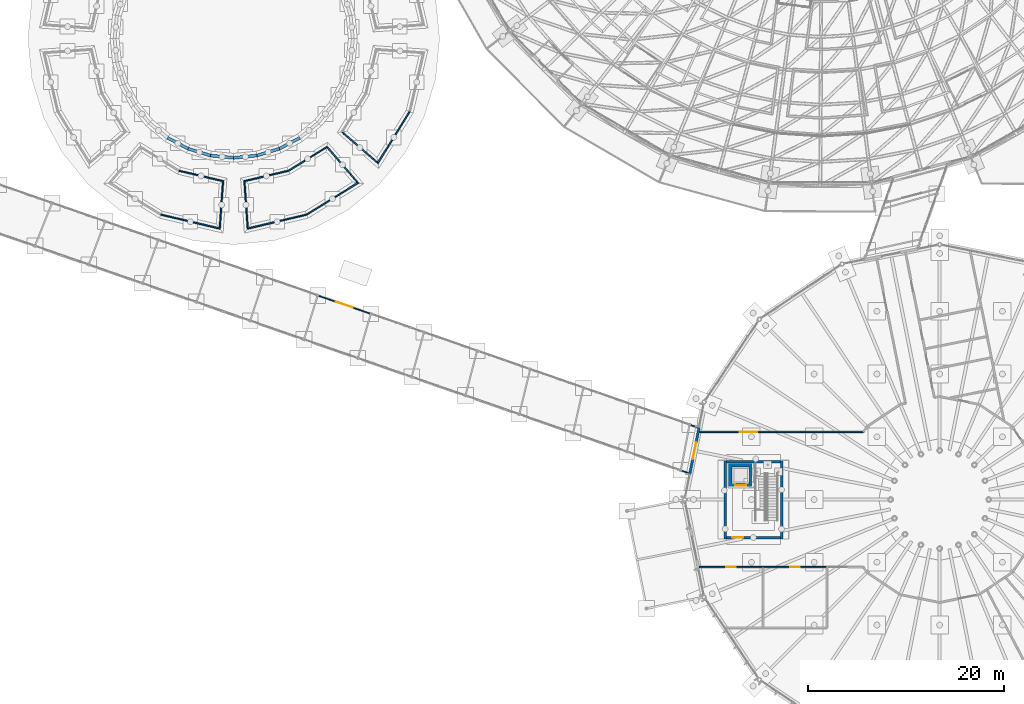
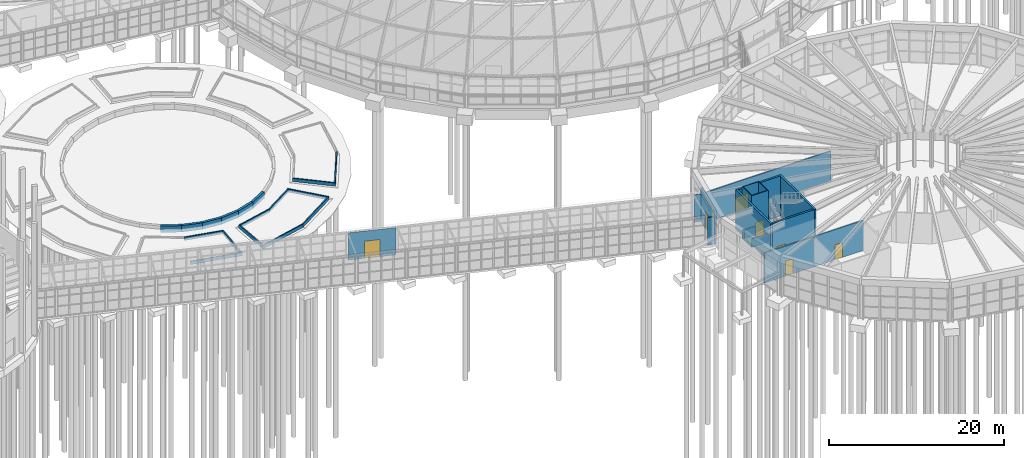
# One storey, part 160 of 226: 36 walls, 7 doors, 7 openings.
"""IFC4 building model written with IfcOpenShell, lengths in metres."""

from ifc_helpers import new_model, si_unit, direction, frame, frame_2d, origin, place, context, subcontext, project, spatial, polyline, rectangle, outline, extrude, material, layer, layer_set, type_object, element, fill, save


model = new_model("IFC4")

# Units and contexts
model_context = context("Model", 3, precision=1e-05, world=origin(), true_north=direction((0.0, 1.0)))
body_context = subcontext(model_context, "Body", "Model", "MODEL_VIEW")
ifc_project = project(units=[si_unit("LENGTHUNIT", "METRE"), si_unit("AREAUNIT", "SQUARE_METRE"), si_unit("VOLUMEUNIT", "CUBIC_METRE"), si_unit("PLANEANGLEUNIT", "RADIAN"), si_unit("MASSUNIT", "GRAM", prefix="KILO")], contexts=[model_context])

# Site, building, storey
site_placement = place(None, origin())
site = spatial("IfcSite", under=ifc_project, at=site_placement, CompositionType="ELEMENT")
building_placement = place(site_placement, origin())
building = spatial("IfcBuilding", under=site, at=building_placement, Name="Ceibo Conservatory and Research Tower", CompositionType="ELEMENT")
storey_placement = place(building_placement, origin())
storey = spatial("IfcBuildingStorey", under=building, at=storey_placement, Name="L00", CompositionType="ELEMENT", Elevation=0.0)

# Walls
ifc_material_1 = material(Name="Concrete C30/37", Category="concrete")
ifc_layer_1 = layer(ifc_material_1, 0.300048828125)
ifc_layer_set_1 = layer_set([ifc_layer_1], Name="Concrete C30/37")
wall_type_1 = type_object("IfcWallType", Name="Basin kerb wall 300", PredefinedType="PARAPET", material=ifc_layer_set_1)
wall_1_placement = place(storey_placement, frame((89.250244140625, 72.898193359375, -0.449951171875), z_axis=(0.0, 0.0, 1.0), x_axis=(0.881938281705, -0.471364898208, 0.0)))
element("IfcWall", 1, at=wall_1_placement, inside=storey, type_object=wall_type_1, Name="Basin kerb 22", PredefinedType="PARAPET", context=body_context, shape_type="SweptSolid", body=[
    extrude(outline(polyline([(-0.014892578125, -0.14990234375), (2.396484375, -0.14990234375), (2.36669921875, 0.14990234375), (0.014892578125, 0.14990234375), (-0.014892578125, -0.14990234375)])), origin(), (0.0, 0.0, 1.0), 0.89990234375),
])
wall_2_placement = place(storey_placement, frame((91.3505859375, 71.775634765625, -0.449951171875), z_axis=(0.0, 0.0, 1.0), x_axis=(0.956941606706, -0.290280487381, 0.0)))
element("IfcWall", 2, at=wall_2_placement, inside=storey, type_object=wall_type_1, Name="Basin kerb 23", PredefinedType="PARAPET", context=body_context, shape_type="SweptSolid", body=[
    extrude(outline(polyline([(-0.014892578125, -0.14990234375), (2.396728515625, -0.14990234375), (2.366943359375, 0.14990234375), (0.014892578125, 0.14990234375), (-0.014892578125, -0.14990234375)])), origin(), (0.0, 0.0, 1.0), 0.89990234375),
])
for number, where, z_axis, x_axis, name in (
    (3, (93.6298828125, 71.084228515625, -0.449951171875), (0.0, 0.0, 1.0), (0.995186271916, -0.098001449933, 0.0), "Basin kerb 24"),
    (4, (96.0, 70.850830078125, -0.449951171875), (0.0, 0.0, 1.0), (0.995186271916, 0.098001449933, 0.0), "Basin kerb 25"),
):
    element("IfcWall", number, at=place(storey_placement, frame(where, z_axis=z_axis, x_axis=x_axis)), inside=storey, type_object=wall_type_1, Name=name, PredefinedType="PARAPET", context=body_context, shape_type="SweptSolid", body=[
        extrude(outline(polyline([(-0.014892578125, -0.14990234375), (2.396484375, -0.14990234375), (2.36669921875, 0.14990234375), (0.014892578125, 0.14990234375), (-0.014892578125, -0.14990234375)])), origin(), (0.0, 0.0, 1.0), 0.89990234375),
    ])
wall_3_placement = place(storey_placement, frame((98.3701171875, 71.084228515625, -0.449951171875), z_axis=(0.0, 0.0, 1.0), x_axis=(0.956941606706, 0.290280487381, 0.0)))
element("IfcWall", 5, at=wall_3_placement, inside=storey, type_object=wall_type_1, Name="Basin kerb 26", PredefinedType="PARAPET", context=body_context, shape_type="SweptSolid", body=[
    extrude(outline(polyline([(-0.014892578125, -0.14990234375), (2.396728515625, -0.14990234375), (2.366943359375, 0.14990234375), (0.014892578125, 0.14990234375), (-0.014892578125, -0.14990234375)])), origin(), (0.0, 0.0, 1.0), 0.89990234375),
])
wall_4_placement = place(storey_placement, frame((100.6494140625, 71.775634765625, -0.449951171875), z_axis=(0.0, 0.0, 1.0), x_axis=(0.881938281705, 0.471364898208, 0.0)))
element("IfcWall", 6, at=wall_4_placement, inside=storey, type_object=wall_type_1, Name="Basin kerb 27", PredefinedType="PARAPET", context=body_context, shape_type="SweptSolid", body=[
    extrude(outline(polyline([(-0.014892578125, -0.14990234375), (2.396484375, -0.14990234375), (2.36669921875, 0.14990234375), (0.014892578125, 0.14990234375), (-0.014892578125, -0.14990234375)])), origin(), (0.0, 0.0, 1.0), 0.89990234375),
])
ifc_layer_2 = layer(ifc_material_1, 0.14990234375)
ifc_layer_set_2 = layer_set([ifc_layer_2], Name="Concrete C30/37")
wall_type_2 = type_object("IfcWallType", Name="Bed kerb wall 150", PredefinedType="PARAPET", material=ifc_layer_set_2)
wall_5_placement = place(storey_placement, frame((88.566650390625, 65.054443359375, 0.0), z_axis=(0.0, 0.0, 1.0), x_axis=(0.973380302815, -0.229195955664, 0.0)))
element("IfcWall", 7, at=wall_5_placement, inside=storey, type_object=wall_type_2, Name="Bed PB6 kerb 03", PredefinedType="PARAPET", context=body_context, shape_type="SweptSolid", body=[
    extrude(outline(polyline([(-0.01220703125, -0.074951171875), (6.2568359375, -0.074951171875), (6.08056640625, 0.074951171875), (0.01220703125, 0.074951171875), (-0.01220703125, -0.074951171875)])), origin(), (0.0, 0.0, 1.0), 0.449951171875),
])
wall_6_placement = place(storey_placement, frame((94.571044921875, 63.640625, 0.0), z_axis=(0.0, 0.0, 1.0), x_axis=(0.069743938592, 0.997564926724, 0.0)))
element("IfcWall", 8, at=wall_6_placement, inside=storey, type_object=wall_type_2, Name="Bed PB6 kerb 04", PredefinedType="PARAPET", context=body_context, shape_type="SweptSolid", body=[
    extrude(outline(polyline([(-0.088134765625, -0.074951171875), (4.911865234375, -0.074951171875), (4.784423828125, 0.074951171875), (0.088134765625, 0.074951171875), (-0.088134765625, -0.074951171875)])), origin(), (0.0, 0.0, 1.0), 0.449951171875),
])
wall_7_placement = place(storey_placement, frame((94.9091796875, 68.47705078125, 0.0), z_axis=(0.0, 0.0, 1.0), x_axis=(-0.973387293002, 0.229166266762, 0.0)))
element("IfcWall", 9, at=wall_7_placement, inside=storey, type_object=wall_type_2, Name="Bed PB6 kerb 05", PredefinedType="PARAPET", context=body_context, shape_type="SweptSolid", body=[
    extrude(outline(polyline([(-0.063720703125, -0.074951171875), (4.597412109375, -0.074951171875), (4.621826171875, 0.074951171875), (0.063720703125, 0.074951171875), (-0.063720703125, -0.074951171875)])), origin(), (0.0, 0.0, 1.0), 0.449951171875),
])
wall_8_placement = place(storey_placement, frame((97.0908203125, 68.47705078125, 0.0), z_axis=(0.0, 0.0, 1.0), x_axis=(0.069743938592, -0.997564926724, 0.0)))
element("IfcWall", 10, at=wall_8_placement, inside=storey, type_object=wall_type_2, Name="Bed PB7 kerb 01", PredefinedType="PARAPET", context=body_context, shape_type="SweptSolid", body=[
    extrude(outline(polyline([(-0.063720703125, -0.074951171875), (4.936279296875, -0.074951171875), (4.760009765625, 0.074951171875), (0.063720703125, 0.074951171875), (-0.063720703125, -0.074951171875)])), origin(), (0.0, 0.0, 1.0), 0.449951171875),
])
wall_9_placement = place(storey_placement, frame((97.428955078125, 63.640625, 0.0), z_axis=(0.0, 0.0, 1.0), x_axis=(0.973380302815, 0.229195955664, 0.0)))
element("IfcWall", 11, at=wall_9_placement, inside=storey, type_object=wall_type_2, Name="Bed PB7 kerb 02", PredefinedType="PARAPET", context=body_context, shape_type="SweptSolid", body=[
    extrude(outline(polyline([(-0.088134765625, -0.074951171875), (6.180908203125, -0.074951171875), (6.156494140625, 0.074951171875), (0.088134765625, 0.074951171875), (-0.088134765625, -0.074951171875)])), origin(), (0.0, 0.0, 1.0), 0.449951171875),
])
wall_10_placement = place(storey_placement, frame((103.433349609375, 65.054443359375, 0.0), z_axis=(0.0, 0.0, 1.0), x_axis=(0.850340207084, 0.526233343886, 0.0)))
element("IfcWall", 12, at=wall_10_placement, inside=storey, type_object=wall_type_2, Name="Bed PB7 kerb 03", PredefinedType="PARAPET", context=body_context, shape_type="SweptSolid", body=[
    extrude(outline(polyline([(-0.01220703125, -0.074951171875), (6.256591796875, -0.074951171875), (6.080322265625, 0.074951171875), (0.01220703125, 0.074951171875), (-0.01220703125, -0.074951171875)])), origin(), (0.0, 0.0, 1.0), 0.449951171875),
])
wall_11_placement = place(storey_placement, frame((108.6787109375, 68.300537109375, 0.0), z_axis=(0.0, 0.0, 1.0), x_axis=(-0.656059019248, 0.754709588692, 0.0)))
element("IfcWall", 13, at=wall_11_placement, inside=storey, type_object=wall_type_2, Name="Bed PB7 kerb 04", PredefinedType="PARAPET", context=body_context, shape_type="SweptSolid", body=[
    extrude(outline(polyline([(-0.088134765625, -0.074951171875), (4.911865234375, -0.074951171875), (4.784423828125, 0.074951171875), (0.088134765625, 0.074951171875), (-0.088134765625, -0.074951171875)])), origin(), (0.0, 0.0, 1.0), 0.449951171875),
])
wall_12_placement = place(storey_placement, frame((105.498046875, 71.95947265625, 0.0), z_axis=(0.0, 0.0, 1.0), x_axis=(-0.850337369137, -0.526237929695, 0.0)))
element("IfcWall", 14, at=wall_12_placement, inside=storey, type_object=wall_type_2, Name="Bed PB7 kerb 05", PredefinedType="PARAPET", context=body_context, shape_type="SweptSolid", body=[
    extrude(outline(polyline([(-0.063720703125, -0.074951171875), (4.597900390625, -0.074951171875), (4.622314453125, 0.074951171875), (0.063720703125, 0.074951171875), (-0.063720703125, -0.074951171875)])), origin(), (0.0, 0.0, 1.0), 0.449951171875),
])
wall_13_placement = place(storey_placement, frame((101.577880859375, 69.533447265625, 0.0), z_axis=(0.0, 0.0, 1.0), x_axis=(-0.973387293002, -0.229166266762, 0.0)))
element("IfcWall", 15, at=wall_13_placement, inside=storey, type_object=wall_type_2, Name="Bed PB7 kerb 06", PredefinedType="PARAPET", context=body_context, shape_type="SweptSolid", body=[
    extrude(outline(polyline([(0.01220703125, -0.074951171875), (4.67333984375, -0.074951171875), (4.5458984375, 0.074951171875), (-0.01220703125, 0.074951171875), (0.01220703125, -0.074951171875)])), origin(), (0.0, 0.0, 1.0), 0.449951171875),
])
wall_14_placement = place(storey_placement, frame((107.04052734375, 73.501953125, 0.0), z_axis=(0.0, 0.0, 1.0), x_axis=(0.754709588692, -0.656059019248, 0.0)))
element("IfcWall", 16, at=wall_14_placement, inside=storey, type_object=wall_type_2, Name="Bed PB8 kerb 01", PredefinedType="PARAPET", context=body_context, shape_type="SweptSolid", body=[
    extrude(outline(polyline([(-0.063720703125, -0.074951171875), (4.936279296875, -0.074951171875), (4.760009765625, 0.074951171875), (0.063720703125, 0.074951171875), (-0.063720703125, -0.074951171875)])), origin(), (0.0, 0.0, 1.0), 0.449951171875),
])
wall_15_placement = place(storey_placement, frame((110.699462890625, 70.3212890625, 0.0), z_axis=(0.0, 0.0, 1.0), x_axis=(0.526233343886, 0.850340207084, 0.0)))
element("IfcWall", 17, at=wall_15_placement, inside=storey, type_object=wall_type_2, Name="Bed PB8 kerb 02", PredefinedType="PARAPET", context=body_context, shape_type="SweptSolid", body=[
    extrude(outline(polyline([(-0.088134765625, -0.074951171875), (6.1806640625, -0.074951171875), (6.15625, 0.074951171875), (0.088134765625, 0.074951171875), (-0.088134765625, -0.074951171875)])), origin(), (0.0, 0.0, 1.0), 0.449951171875),
])
ifc_material_2 = material(Name="Concrete C35/45", Category="concrete")
ifc_layer_3 = layer(ifc_material_2, 0.25)
ifc_layer_set_3 = layer_set([ifc_layer_3], Name="Concrete C35/45")
wall_type_3 = type_object("IfcWallType", Name="Core house wall 250", PredefinedType="SOLIDWALL", material=ifc_layer_set_3)
for number, where, z_axis, x_axis, name in (
    (18, (151.875, 32.0, 0.0), (0.0, 0.0, 1.0), (0.0, 1.0, 0.0), "Core house wall VC-KE"),
    (19, (146.125, 32.0, 0.0), (0.0, 0.0, 1.0), (0.0, 1.0, 0.0), "Core house wall VC-KW"),
):
    element("IfcWall", number, at=place(storey_placement, frame(where, z_axis=z_axis, x_axis=x_axis)), inside=storey, type_object=wall_type_3, Name=name, PredefinedType="SOLIDWALL", context=body_context, shape_type="SweptSolid", body=[
        extrude(rectangle(XDim=8.0, YDim=0.25, at=frame_2d((4.0, 0.0))), origin(), (0.0, 0.0, 1.0), 5.549072265625),
    ])

# Wall, opening, door
wall_16_placement = place(storey_placement, frame((146.25, 32.125, 0.0), z_axis=(0.0, 0.0, 1.0), x_axis=(1.0, 0.0, 0.0)))
wall_16 = element("IfcWall", 20, at=wall_16_placement, inside=storey, type_object=wall_type_3, Name="Core house wall VC-KS", PredefinedType="SOLIDWALL", context=body_context, shape_type="SweptSolid", body=[
    extrude(rectangle(XDim=5.5, YDim=0.25, at=frame_2d((2.75, 0.0))), origin(), (0.0, 0.0, 1.0), 5.549072265625),
])
opening_1_placement = place(wall_16_placement, frame((0.60009765625, 0.0, 0.0)))
opening_1 = element("IfcOpeningElement", 21, at=opening_1_placement, cuts=wall_16, Name="Opening VC-SD1", PredefinedType="OPENING", context=body_context, shape_type="SweptSolid", body=[
    extrude(rectangle(XDim=1.10009765625, YDim=2.10009765625, at=frame_2d((0.550048828125, 1.050048828125))), frame((0.0, 0.135009765625, 0.0), z_axis=(0.0, -1.0, 0.0), x_axis=(1.0, 0.0, 0.0)), (0.0, 0.0, 1.0), 0.27001953125),
])
ifc_material_3 = material(Name="Galvanised sheet steel DX51D", Category="steel")
door_type_1 = type_object("IfcDoorType", Name="Stair door 1100x2100 EI 120 (right hand)", OperationType="SINGLE_SWING_RIGHT", PredefinedType="DOOR", material=ifc_material_3)
door_1_placement = place(opening_1_placement, origin())
door_1 = element("IfcDoor", 22, at=door_1_placement, inside=storey, type_object=door_type_1, Name="Stair hall door VC-SD1", OperationType="SINGLE_SWING_RIGHT", OverallHeight=2.10009765625, OverallWidth=1.10009765625, PredefinedType="DOOR", context=body_context, shape_type="SweptSolid", body=[
    extrude(rectangle(XDim=1.10009765625, YDim=2.10009765625, at=frame_2d((0.550048828125, 1.050048828125))), frame((0.0, 0.02490234375, 0.0), z_axis=(0.0, -1.0, 0.0), x_axis=(1.0, 0.0, 0.0)), (0.0, 0.0, 1.0), 0.050048828125),
])
fill(opening_1, door_1)

# Wall
wall_17_placement = place(storey_placement, frame((146.25, 39.875, 0.0), z_axis=(0.0, 0.0, 1.0), x_axis=(1.0, 0.0, 0.0)))
element("IfcWall", 23, at=wall_17_placement, inside=storey, type_object=wall_type_3, Name="Core house wall VC-KN", PredefinedType="SOLIDWALL", context=body_context, shape_type="SweptSolid", body=[
    extrude(rectangle(XDim=5.5, YDim=0.25, at=frame_2d((2.75, 0.0))), origin(), (0.0, 0.0, 1.0), 5.549072265625),
])

# Wall, opening, door
ifc_material_4 = material(Name="Plasterboard on metal studs, fire board")
ifc_layer_4 = layer(ifc_material_4, 0.14990234375)
ifc_layer_set_4 = layer_set([ifc_layer_4], Name="Plasterboard on metal studs, fire board")
wall_type_4 = type_object("IfcWallType", Name="Corridor wall 150 EI 60", PredefinedType="PARTITIONING", material=ifc_layer_set_4)
wall_18_placement = place(storey_placement, frame((150.0, 29.10009765625, 0.0), z_axis=(0.0, 0.0, 1.0), x_axis=(-1.0, 0.0, 0.0)))
wall_18 = element("IfcWall", 24, at=wall_18_placement, inside=storey, type_object=wall_type_4, Name="Partition 00.029", PredefinedType="PARTITIONING", context=body_context, shape_type="SweptSolid", body=[
    extrude(rectangle(XDim=6.545166015625, YDim=0.14990234375, at=frame_2d((3.2724609375, 0.0))), origin(), (0.0, 0.0, 1.0), 4.199951171875),
])
opening_2_placement = place(wall_18_placement, frame((2.7724609375, 0.0, 0.0)))
opening_2 = element("IfcOpeningElement", 25, at=opening_2_placement, cuts=wall_18, Name="Opening VC00-07", PredefinedType="OPENING", context=body_context, shape_type="SweptSolid", body=[
    extrude(rectangle(XDim=1.0, YDim=2.10009765625, at=frame_2d((0.5, 1.050048828125))), frame((0.0, 0.0849609375, 0.0), z_axis=(0.0, -1.0, 0.0), x_axis=(1.0, 0.0, 0.0)), (0.0, 0.0, 1.0), 0.169921875),
])
door_type_2 = type_object("IfcDoorType", Name="Door fire single wide 1000x2100 EI 60 (left hand)", OperationType="SINGLE_SWING_LEFT", PredefinedType="DOOR", material=ifc_material_3)
door_2_placement = place(opening_2_placement, origin())
door_2 = element("IfcDoor", 26, at=door_2_placement, inside=storey, type_object=door_type_2, Name="Visitor Centre Education Studio A door", OperationType="SINGLE_SWING_LEFT", OverallHeight=2.10009765625, OverallWidth=1.0, PredefinedType="DOOR", context=body_context, shape_type="SweptSolid", body=[
    extrude(rectangle(XDim=1.0, YDim=2.10009765625, at=frame_2d((0.5, 1.050048828125))), frame((0.0, 0.02490234375, 0.0), z_axis=(0.0, -1.0, 0.0), x_axis=(1.0, 0.0, 0.0)), (0.0, 0.0, 1.0), 0.050048828125),
])
fill(opening_2, door_2)

wall_19_placement = place(storey_placement, frame((156.5, 29.10009765625, 0.0), z_axis=(0.0, 0.0, 1.0), x_axis=(-1.0, 0.0, 0.0)))
wall_19 = element("IfcWall", 27, at=wall_19_placement, inside=storey, type_object=wall_type_4, Name="Partition 00.030", PredefinedType="PARTITIONING", context=body_context, shape_type="SweptSolid", body=[
    extrude(rectangle(XDim=6.5, YDim=0.14990234375, at=frame_2d((3.25, 0.0))), origin(), (0.0, 0.0, 1.0), 4.199951171875),
])
opening_3_placement = place(wall_19_placement, frame((2.75, 0.0, 0.0)))
opening_3 = element("IfcOpeningElement", 28, at=opening_3_placement, cuts=wall_19, Name="Opening VC00-08", PredefinedType="OPENING", context=body_context, shape_type="SweptSolid", body=[
    extrude(rectangle(XDim=1.0, YDim=2.10009765625, at=frame_2d((0.5, 1.050048828125))), frame((0.0, 0.0849609375, 0.0), z_axis=(0.0, -1.0, 0.0), x_axis=(1.0, 0.0, 0.0)), (0.0, 0.0, 1.0), 0.169921875),
])
door_3_placement = place(opening_3_placement, origin())
door_3 = element("IfcDoor", 29, at=door_3_placement, inside=storey, type_object=door_type_2, Name="Visitor Centre Education Studio B door", OperationType="SINGLE_SWING_LEFT", OverallHeight=2.10009765625, OverallWidth=1.0, PredefinedType="DOOR", context=body_context, shape_type="SweptSolid", body=[
    extrude(rectangle(XDim=1.0, YDim=2.10009765625, at=frame_2d((0.5, 1.050048828125))), frame((0.0, 0.02490234375, 0.0), z_axis=(0.0, -1.0, 0.0), x_axis=(1.0, 0.0, 0.0)), (0.0, 0.0, 1.0), 0.050048828125),
])
fill(opening_3, door_3)

wall_20_placement = place(storey_placement, frame((143.454833984375, 42.89990234375, 0.0), z_axis=(0.0, 0.0, 1.0), x_axis=(1.0, 0.0, 0.0)))
wall_20 = element("IfcWall", 30, at=wall_20_placement, inside=storey, type_object=wall_type_4, Name="Partition 00.031", PredefinedType="PARTITIONING", context=body_context, shape_type="SweptSolid", body=[
    extrude(rectangle(XDim=16.77001953125, YDim=0.14990234375, at=frame_2d((8.385009765625, 0.0))), origin(), (0.0, 0.0, 1.0), 4.199951171875),
])
opening_4_placement = place(wall_20_placement, frame((4.131103515625, 0.0, 0.0)))
opening_4 = element("IfcOpeningElement", 31, at=opening_4_placement, cuts=wall_20, Name="Opening VC00-11", PredefinedType="OPENING", context=body_context, shape_type="SweptSolid", body=[
    extrude(rectangle(XDim=1.800048828125, YDim=2.10009765625, at=frame_2d((0.89990234375, 1.050048828125))), frame((0.0, 0.0849609375, 0.0), z_axis=(0.0, -1.0, 0.0), x_axis=(1.0, 0.0, 0.0)), (0.0, 0.0, 1.0), 0.169921875),
])
door_type_3 = type_object("IfcDoorType", Name="Door fire double 1800x2100 EI 60", OperationType="DOUBLE_DOOR_SINGLE_SWING", PredefinedType="DOOR", material=ifc_material_3)
door_4_placement = place(opening_4_placement, frame((1.800048828125, 0.0, 0.0), z_axis=(0.0, 0.0, 1.0), x_axis=(-1.0, 0.0, 0.0)))
door_4 = element("IfcDoor", 32, at=door_4_placement, inside=storey, type_object=door_type_3, Name="Visitor Centre Temporary Exhibition door", OperationType="DOUBLE_DOOR_SINGLE_SWING", OverallHeight=2.10009765625, OverallWidth=1.800048828125, PredefinedType="DOOR", context=body_context, shape_type="SweptSolid", body=[
    extrude(rectangle(XDim=1.800048828125, YDim=2.10009765625, at=frame_2d((0.89990234375, 1.050048828125))), frame((0.0, 0.02490234375, 0.0), z_axis=(0.0, -1.0, 0.0), x_axis=(1.0, 0.0, 0.0)), (0.0, 0.0, 1.0), 0.050048828125),
])
fill(opening_4, door_4)

# Walls
ifc_material_5 = material(Name="Aluminium and glass", Category="aluminium")
ifc_layer_5 = layer(ifc_material_5, 0.10009765625)
ifc_layer_set_5 = layer_set([ifc_layer_5], Name="Aluminium and glass")
wall_type_5 = type_object("IfcWallType", Name="Gallery end infill wall 100", PredefinedType="PARTITIONING", material=ifc_layer_set_5)
for number, where, z_axis, x_axis, name in (
    (33, (142.604248046875, 43.5966796875, 0.0), (0.0, 0.0, 1.0), (0.944615476887, -0.328179220589, 0.0), "Gallery end infill AUD-VC-CKN1"),
    (34, (141.678466796875, 38.942626953125, 0.0), (0.0, 0.0, 1.0), (0.944615476887, -0.328179220589, 0.0), "Gallery end infill AUD-VC-CKS1"),
):
    element("IfcWall", number, at=place(storey_placement, frame(where, z_axis=z_axis, x_axis=x_axis)), inside=storey, type_object=wall_type_5, Name=name, PredefinedType="PARTITIONING", context=body_context, shape_type="SweptSolid", body=[
        extrude(outline(polyline([(0.0, -0.050048828125), (0.783447265625, -0.050048828125), (0.769775390625, 0.050048828125), (0.0, 0.050048828125), (0.0, -0.050048828125)])), origin(), (0.0, 0.0, 1.0), 3.800048828125),
    ])

# Wall, opening, door
ifc_layer_6 = layer(ifc_material_5, 0.10009765625)
ifc_layer_set_6 = layer_set([ifc_layer_6], Name="Aluminium and glass")
wall_type_6 = type_object("IfcWallType", Name="Gallery exit infill wall 100", PredefinedType="PARTITIONING", material=ifc_layer_set_6)
wall_21_placement = place(storey_placement, frame((104.662841796875, 56.782958984375, 0.0), z_axis=(0.0, 0.0, 1.0), x_axis=(0.944578980391, -0.32828425153, 0.0)))
wall_21 = element("IfcWall", 35, at=wall_21_placement, inside=storey, type_object=wall_type_6, Name="Gallery exit wall AUD-VC", PredefinedType="PARTITIONING", context=body_context, shape_type="SweptSolid", body=[
    extrude(rectangle(XDim=5.528564453125, YDim=0.10009765625, at=frame_2d((2.76416015625, 0.0))), origin(), (0.0, 0.0, 1.0), 3.800048828125),
])
opening_5_placement = place(wall_21_placement, frame((1.8642578125, 0.0, 0.0)))
opening_5 = element("IfcOpeningElement", 36, at=opening_5_placement, cuts=wall_21, Name="Opening AUD-VC-X1", PredefinedType="OPENING", context=body_context, shape_type="SweptSolid", body=[
    extrude(rectangle(XDim=1.800048828125, YDim=2.39990234375, at=frame_2d((0.89990234375, 1.199951171875))), frame((0.0, 0.06005859375, 0.0), z_axis=(0.0, -1.0, 0.0), x_axis=(1.0, 0.0, 0.0)), (0.0, 0.0, 1.0), 0.1201171875),
])
door_type_4 = type_object("IfcDoorType", Name="Gallery exit door 1800x2400", OperationType="DOUBLE_DOOR_SINGLE_SWING", PredefinedType="DOOR", material=ifc_material_5)
door_5_placement = place(opening_5_placement, origin())
door_5 = element("IfcDoor", 37, at=door_5_placement, inside=storey, type_object=door_type_4, Name="Gallery exit door AUD-VC-X1", OperationType="DOUBLE_DOOR_SINGLE_SWING", OverallHeight=2.39990234375, OverallWidth=1.800048828125, PredefinedType="DOOR", context=body_context, shape_type="SweptSolid", body=[
    extrude(rectangle(XDim=1.800048828125, YDim=2.39990234375, at=frame_2d((0.89990234375, 1.199951171875))), frame((0.0, 0.02490234375, 0.0), z_axis=(0.0, -1.0, 0.0), x_axis=(1.0, 0.0, 0.0)), (0.0, 0.0, 1.0), 0.050048828125),
])
fill(opening_5, door_5)

ifc_layer_7 = layer(ifc_material_5, 0.10009765625)
ifc_layer_set_7 = layer_set([ifc_layer_7], Name="Aluminium and glass")
wall_type_7 = type_object("IfcWallType", Name="Glazed lift enclosure 100", PredefinedType="PARTITIONING", material=ifc_layer_set_7)
wall_22_placement = place(storey_placement, frame((146.64990234375, 37.449951171875, 0.0), z_axis=(0.0, 0.0, 1.0), x_axis=(1.0, 0.0, 0.0)))
wall_22 = element("IfcWall", 38, at=wall_22_placement, inside=storey, type_object=wall_type_7, Name="Lift enclosure wall 1", PredefinedType="PARTITIONING", context=body_context, shape_type="SweptSolid", body=[
    extrude(outline(polyline([(-0.050048828125, -0.050048828125), (2.150146484375, -0.050048828125), (2.050048828125, 0.050048828125), (0.050048828125, 0.050048828125), (-0.050048828125, -0.050048828125)])), origin(), (0.0, 0.0, 1.0), 6.0),
])
opening_6_placement = place(wall_22_placement, frame((0.5, 0.0, 0.0)))
opening_6 = element("IfcOpeningElement", 39, at=opening_6_placement, cuts=wall_22, Name="Opening VC-LDG", PredefinedType="OPENING", context=body_context, shape_type="SweptSolid", body=[
    extrude(rectangle(XDim=1.10009765625, YDim=2.10009765625, at=frame_2d((0.550048828125, 1.050048828125))), frame((0.0, 0.06005859375, 0.0), z_axis=(0.0, -1.0, 0.0), x_axis=(1.0, 0.0, 0.0)), (0.0, 0.0, 1.0), 0.1201171875),
])
door_type_5 = type_object("IfcDoorType", Name="Glass lift landing door 1100x2100", OperationType="DOUBLE_DOOR_SLIDING", PredefinedType="DOOR", material=ifc_material_5)
door_6_placement = place(opening_6_placement, origin())
door_6 = element("IfcDoor", 40, at=door_6_placement, inside=storey, type_object=door_type_5, Name="Lift landing door G", OperationType="DOUBLE_DOOR_SLIDING", OverallHeight=2.10009765625, OverallWidth=1.10009765625, PredefinedType="DOOR", context=body_context, shape_type="SweptSolid", body=[
    extrude(rectangle(XDim=1.10009765625, YDim=2.10009765625, at=frame_2d((0.550048828125, 1.050048828125))), frame((0.0, 0.02490234375, 0.0), z_axis=(0.0, -1.0, 0.0), x_axis=(1.0, 0.0, 0.0)), (0.0, 0.0, 1.0), 0.050048828125),
])
fill(opening_6, door_6)

# Walls
wall_23_placement = place(storey_placement, frame((148.75, 37.449951171875, 0.0), z_axis=(0.0, 0.0, 1.0), x_axis=(0.0, 1.0, 0.0)))
element("IfcWall", 41, at=wall_23_placement, inside=storey, type_object=wall_type_7, Name="Lift enclosure wall 2", PredefinedType="PARTITIONING", context=body_context, shape_type="SweptSolid", body=[
    extrude(outline(polyline([(-0.050048828125, -0.050048828125), (2.10009765625, -0.050048828125), (2.0, 0.050048828125), (0.050048828125, 0.050048828125), (-0.050048828125, -0.050048828125)])), origin(), (0.0, 0.0, 1.0), 6.0),
])
wall_24_placement = place(storey_placement, frame((148.75, 39.5, 0.0), z_axis=(0.0, 0.0, 1.0), x_axis=(-1.0, 0.0, 0.0)))
element("IfcWall", 42, at=wall_24_placement, inside=storey, type_object=wall_type_7, Name="Lift enclosure wall 3", PredefinedType="PARTITIONING", context=body_context, shape_type="SweptSolid", body=[
    extrude(outline(polyline([(-0.050048828125, -0.050048828125), (2.150146484375, -0.050048828125), (2.050048828125, 0.050048828125), (0.050048828125, 0.050048828125), (-0.050048828125, -0.050048828125)])), origin(), (0.0, 0.0, 1.0), 6.0),
])
wall_25_placement = place(storey_placement, frame((146.64990234375, 39.5, 0.0), z_axis=(0.0, 0.0, 1.0), x_axis=(0.0, -1.0, 0.0)))
element("IfcWall", 43, at=wall_25_placement, inside=storey, type_object=wall_type_7, Name="Lift enclosure wall 4", PredefinedType="PARTITIONING", context=body_context, shape_type="SweptSolid", body=[
    extrude(outline(polyline([(-0.050048828125, -0.050048828125), (2.10009765625, -0.050048828125), (2.0, 0.050048828125), (0.050048828125, 0.050048828125), (-0.050048828125, -0.050048828125)])), origin(), (0.0, 0.0, 1.0), 6.0),
])

# Wall, opening, door
ifc_layer_8 = layer(ifc_material_2, 0.25)
ifc_layer_set_8 = layer_set([ifc_layer_8], Name="Concrete C35/45")
wall_type_8 = type_object("IfcWallType", Name="Pavilion link wall 250", PredefinedType="SOLIDWALL", material=ifc_layer_set_8)
wall_26_placement = place(storey_placement, frame((143.46240234375, 43.351318359375, 0.0), z_axis=(0.0, 0.0, 1.0), x_axis=(-0.195118140458, -0.980779746561, 0.0)))
wall_26 = element("IfcWall", 44, at=wall_26_placement, inside=storey, type_object=wall_type_8, Name="Pavilion link wall VC-W08", PredefinedType="SOLIDWALL", context=body_context, shape_type="SweptSolid", body=[
    extrude(outline(polyline([(-0.017333984375, -0.125), (4.828857421875, -0.125), (4.863525390625, 0.125), (0.017333984375, 0.125), (-0.017333984375, -0.125)])), origin(), (0.0, 0.0, 1.0), 4.64892578125),
])
opening_7_placement = place(wall_26_placement, frame((1.523193359375, 0.0, 0.0)))
opening_7 = element("IfcOpeningElement", 45, at=opening_7_placement, cuts=wall_26, Name="Opening VC-D03", PredefinedType="OPENING", context=body_context, shape_type="SweptSolid", body=[
    extrude(rectangle(XDim=1.800048828125, YDim=2.39990234375, at=frame_2d((0.89990234375, 1.199951171875))), frame((0.0, 0.135009765625, 0.0), z_axis=(0.0, -1.0, 0.0), x_axis=(1.0, 0.0, 0.0)), (0.0, 0.0, 1.0), 0.27001953125),
])
door_type_6 = type_object("IfcDoorType", Name="Pavilion link double door 1800x2400", OperationType="DOUBLE_DOOR_SINGLE_SWING", PredefinedType="DOOR", material=ifc_material_5)
door_7_placement = place(opening_7_placement, frame((1.800048828125, 0.0, 0.0), z_axis=(0.0, 0.0, 1.0), x_axis=(-1.0, 0.0, 0.0)))
door_7 = element("IfcDoor", 46, at=door_7_placement, inside=storey, type_object=door_type_6, Name="Pavilion door VC-D03", OperationType="DOUBLE_DOOR_SINGLE_SWING", OverallHeight=2.39990234375, OverallWidth=1.800048828125, PredefinedType="DOOR", context=body_context, shape_type="SweptSolid", body=[
    extrude(rectangle(XDim=1.800048828125, YDim=2.39990234375, at=frame_2d((0.89990234375, 1.199951171875))), frame((0.0, 0.02490234375, 0.0), z_axis=(0.0, -1.0, 0.0), x_axis=(1.0, 0.0, 0.0)), (0.0, 0.0, 1.0), 0.050048828125),
])
fill(opening_7, door_7)

# Walls
ifc_layer_9 = layer(ifc_material_2, 0.199951171875)
ifc_layer_set_9 = layer_set([ifc_layer_9], Name="Concrete C35/45")
wall_type_9 = type_object("IfcWallType", Name="RC lift pit wall 200", PredefinedType="SOLIDWALL", material=ifc_layer_set_9)
wall_27_placement = place(storey_placement, frame((146.699951171875, 37.5, -1.199951171875), z_axis=(0.0, 0.0, 1.0), x_axis=(1.0, 0.0, 0.0)))
element("IfcWall", 47, at=wall_27_placement, inside=storey, type_object=wall_type_9, Name="Lift pit wall 1", PredefinedType="SOLIDWALL", context=body_context, shape_type="SweptSolid", body=[
    extrude(outline(polyline([(-0.099853515625, -0.10009765625), (2.099853515625, -0.10009765625), (1.900146484375, 0.10009765625), (0.099853515625, 0.10009765625), (-0.099853515625, -0.10009765625)])), origin(), (0.0, 0.0, 1.0), 1.199951171875),
])
wall_28_placement = place(storey_placement, frame((148.699951171875, 37.5, -1.199951171875), z_axis=(0.0, 0.0, 1.0), x_axis=(0.0, 1.0, 0.0)))
element("IfcWall", 48, at=wall_28_placement, inside=storey, type_object=wall_type_9, Name="Lift pit wall 2", PredefinedType="SOLIDWALL", context=body_context, shape_type="SweptSolid", body=[
    extrude(outline(polyline([(-0.099853515625, -0.10009765625), (2.0498046875, -0.10009765625), (1.85009765625, 0.10009765625), (0.099853515625, 0.10009765625), (-0.099853515625, -0.10009765625)])), origin(), (0.0, 0.0, 1.0), 1.199951171875),
])
wall_29_placement = place(storey_placement, frame((148.699951171875, 39.449951171875, -1.199951171875), z_axis=(0.0, 0.0, 1.0), x_axis=(-1.0, 0.0, 0.0)))
element("IfcWall", 49, at=wall_29_placement, inside=storey, type_object=wall_type_9, Name="Lift pit wall 3", PredefinedType="SOLIDWALL", context=body_context, shape_type="SweptSolid", body=[
    extrude(outline(polyline([(-0.099853515625, -0.10009765625), (2.099853515625, -0.10009765625), (1.900146484375, 0.10009765625), (0.099853515625, 0.10009765625), (-0.099853515625, -0.10009765625)])), origin(), (0.0, 0.0, 1.0), 1.199951171875),
])
wall_30_placement = place(storey_placement, frame((146.699951171875, 39.449951171875, -1.199951171875), z_axis=(0.0, 0.0, 1.0), x_axis=(0.0, -1.0, 0.0)))
element("IfcWall", 50, at=wall_30_placement, inside=storey, type_object=wall_type_9, Name="Lift pit wall 4", PredefinedType="SOLIDWALL", context=body_context, shape_type="SweptSolid", body=[
    extrude(outline(polyline([(-0.099853515625, -0.10009765625), (2.0498046875, -0.10009765625), (1.85009765625, 0.10009765625), (0.099853515625, 0.10009765625), (-0.099853515625, -0.10009765625)])), origin(), (0.0, 0.0, 1.0), 1.199951171875),
])

save(model, "model.ifc")
